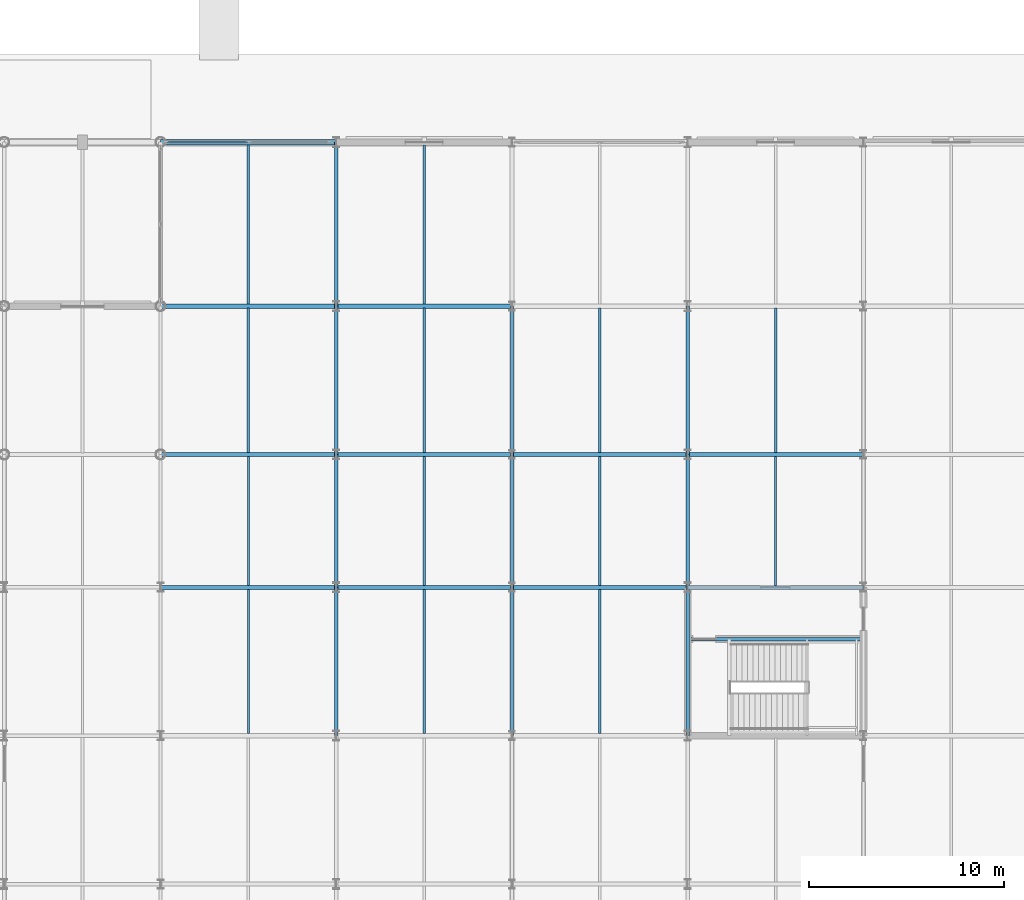
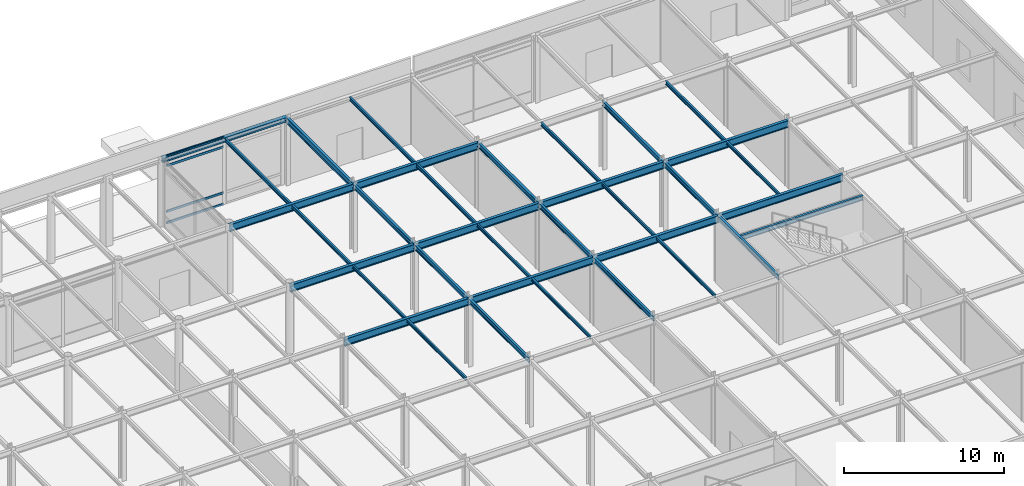
# One storey, part 51 of 89: 35 beams, 4 members, 1 element without a shape of its own.
"""IFC4 building model written with IfcOpenShell, lengths in metres."""

from ifc_helpers import new_model, si_unit, direction, frame, origin, origin_2d, place, context, subcontext, project, spatial, hollow_rectangle, i_section, extrude, material, layer, layer_set, material_profile, profile_set, type_object, element, aggregate, save


model = new_model("IFC4")

# Units and contexts
model_context = context("Model", 3, precision=1e-05, world=origin(), true_north=direction((0.0, 1.0)))
body_context = subcontext(model_context, "Body", "Model", "MODEL_VIEW")
ifc_project = project(units=[si_unit("LENGTHUNIT", "METRE"), si_unit("AREAUNIT", "SQUARE_METRE"), si_unit("VOLUMEUNIT", "CUBIC_METRE"), si_unit("PLANEANGLEUNIT", "RADIAN"), si_unit("MASSUNIT", "GRAM", prefix="KILO")], contexts=[model_context])

# Site, building, storey
site_placement = place(None, origin())
site = spatial("IfcSite", under=ifc_project, at=site_placement, CompositionType="ELEMENT")
building_placement = place(site_placement, origin())
building = spatial("IfcBuilding", under=site, at=building_placement, Name="Shalkamar Park Central Library", CompositionType="ELEMENT")
storey_placement = place(building_placement, origin())
storey = spatial("IfcBuildingStorey", under=building, at=storey_placement, Name="L01", CompositionType="ELEMENT", Elevation=0.0)

# Beams
ifc_material_1 = material(Name="Steel S355", Category="steel")
ifc_material_profile_1 = material_profile(ifc_material_1, i_section(OverallWidth=0.1201171875, OverallDepth=0.239990234375, WebThickness=0.006103515625, FlangeThickness=0.009765625, FilletRadius=0.014892578125, at=origin_2d()), Name="IPE 240")
ifc_profile_set_1 = profile_set([ifc_material_profile_1], Name="Steel S355")
beam_type_1 = type_object("IfcBeamType", Name="Composite Floor Joist IPE240", PredefinedType="JOIST", material=ifc_profile_set_1)
beam_1_placement = place(storey_placement, frame((241.5, 323.702880859375, 5.02001953125), z_axis=(0.0, 1.0, 0.0), x_axis=(-1.0, 0.0, 0.0)))
element("IfcBeam", 1, at=beam_1_placement, inside=storey, type_object=beam_type_1, Name="Composite Joist 16/M-1 (L01)", PredefinedType="JOIST", context=body_context, shape_type="SweptSolid", body=[
    extrude(i_section(OverallWidth=0.1201171875, OverallDepth=0.239990234375, WebThickness=0.006103515625, FlangeThickness=0.009765625, FilletRadius=0.014892578125, at=origin_2d()), origin(), (0.0, 0.0, 1.0), 7.39404296875),
])
beam_2_placement = place(storey_placement, frame((241.5, 331.302978515625, 5.02001953125), z_axis=(0.0, 1.0, 0.0), x_axis=(-1.0, 0.0, 0.0)))
element("IfcBeam", 2, at=beam_2_placement, inside=storey, type_object=beam_type_1, Name="Composite Joist 16/N-1 (L01)", PredefinedType="JOIST", context=body_context, shape_type="SweptSolid", body=[
    extrude(i_section(OverallWidth=0.1201171875, OverallDepth=0.239990234375, WebThickness=0.006103515625, FlangeThickness=0.009765625, FilletRadius=0.014892578125, at=origin_2d()), origin(), (0.0, 0.0, 1.0), 6.593994140625),
])
beam_3_placement = place(storey_placement, frame((250.5, 323.702880859375, 5.02001953125), z_axis=(0.0, 1.0, 0.0), x_axis=(-1.0, 0.0, 0.0)))
element("IfcBeam", 3, at=beam_3_placement, inside=storey, type_object=beam_type_1, Name="Composite Joist 17/M-1 (L01)", PredefinedType="JOIST", context=body_context, shape_type="SweptSolid", body=[
    extrude(i_section(OverallWidth=0.1201171875, OverallDepth=0.239990234375, WebThickness=0.006103515625, FlangeThickness=0.009765625, FilletRadius=0.014892578125, at=origin_2d()), origin(), (0.0, 0.0, 1.0), 7.39404296875),
])
beam_4_placement = place(storey_placement, frame((250.5, 331.302978515625, 5.02001953125), z_axis=(0.0, 1.0, 0.0), x_axis=(-1.0, 0.0, 0.0)))
element("IfcBeam", 4, at=beam_4_placement, inside=storey, type_object=beam_type_1, Name="Composite Joist 17/N-1 (L01)", PredefinedType="JOIST", context=body_context, shape_type="SweptSolid", body=[
    extrude(i_section(OverallWidth=0.1201171875, OverallDepth=0.239990234375, WebThickness=0.006103515625, FlangeThickness=0.009765625, FilletRadius=0.014892578125, at=origin_2d()), origin(), (0.0, 0.0, 1.0), 6.593994140625),
])
beam_5_placement = place(storey_placement, frame((259.5, 323.702880859375, 5.02001953125), z_axis=(0.0, 1.0, 0.0), x_axis=(-1.0, 0.0, 0.0)))
element("IfcBeam", 5, at=beam_5_placement, inside=storey, type_object=beam_type_1, Name="Composite Joist 18/M-1 (L01)", PredefinedType="JOIST", context=body_context, shape_type="SweptSolid", body=[
    extrude(i_section(OverallWidth=0.1201171875, OverallDepth=0.239990234375, WebThickness=0.006103515625, FlangeThickness=0.009765625, FilletRadius=0.014892578125, at=origin_2d()), origin(), (0.0, 0.0, 1.0), 7.39404296875),
])
for number, where, z_axis, x_axis, name in (
    (6, (259.5, 331.302978515625, 5.02001953125), (0.0, 1.0, 0.0), (-1.0, 0.0, 0.0), "Composite Joist 18/N-1 (L01)"),
    (7, (268.5, 331.302978515625, 5.02001953125), (0.0, 1.0, 0.0), (-1.0, 0.0, 0.0), "Composite Joist 19/N-1 (L01)"),
):
    element("IfcBeam", number, at=place(storey_placement, frame(where, z_axis=z_axis, x_axis=x_axis)), inside=storey, type_object=beam_type_1, Name=name, PredefinedType="JOIST", context=body_context, shape_type="SweptSolid", body=[
        extrude(i_section(OverallWidth=0.1201171875, OverallDepth=0.239990234375, WebThickness=0.006103515625, FlangeThickness=0.009765625, FilletRadius=0.014892578125, at=origin_2d()), origin(), (0.0, 0.0, 1.0), 6.593994140625),
    ])
ifc_material_profile_2 = material_profile(ifc_material_1, i_section(OverallWidth=0.135009765625, OverallDepth=0.27001953125, WebThickness=0.006591796875, FlangeThickness=0.01025390625, FilletRadius=0.014892578125, at=origin_2d()), Name="IPE 270")
ifc_profile_set_2 = profile_set([ifc_material_profile_2], Name="Steel S355")
beam_type_2 = type_object("IfcBeamType", Name="Composite Floor Joist IPE270", PredefinedType="JOIST", material=ifc_profile_set_2)
beam_6_placement = place(storey_placement, frame((241.5, 338.10302734375, 5.0048828125), z_axis=(0.0, 1.0, 0.0), x_axis=(-1.0, 0.0, 0.0)))
element("IfcBeam", 8, at=beam_6_placement, inside=storey, type_object=beam_type_2, Name="Composite Joist 16/P-1 (L01)", PredefinedType="JOIST", context=body_context, shape_type="SweptSolid", body=[
    extrude(i_section(OverallWidth=0.135009765625, OverallDepth=0.27001953125, WebThickness=0.006591796875, FlangeThickness=0.01025390625, FilletRadius=0.014892578125, at=origin_2d()), origin(), (0.0, 0.0, 1.0), 7.39404296875),
])
beam_7_placement = place(storey_placement, frame((241.5, 345.702880859375, 5.0048828125), z_axis=(0.0, 1.0, 0.0), x_axis=(-1.0, 0.0, 0.0)))
element("IfcBeam", 9, at=beam_7_placement, inside=storey, type_object=beam_type_2, Name="Composite Joist 16/Q-1 (L01)", PredefinedType="JOIST", context=body_context, shape_type="SweptSolid", body=[
    extrude(i_section(OverallWidth=0.135009765625, OverallDepth=0.27001953125, WebThickness=0.006591796875, FlangeThickness=0.01025390625, FilletRadius=0.014892578125, at=origin_2d()), origin(), (0.0, 0.0, 1.0), 8.149169921875),
])
beam_8_placement = place(storey_placement, frame((250.5, 338.10302734375, 5.0048828125), z_axis=(0.0, 1.0, 0.0), x_axis=(-1.0, 0.0, 0.0)))
element("IfcBeam", 10, at=beam_8_placement, inside=storey, type_object=beam_type_2, Name="Composite Joist 17/P-1 (L01)", PredefinedType="JOIST", context=body_context, shape_type="SweptSolid", body=[
    extrude(i_section(OverallWidth=0.135009765625, OverallDepth=0.27001953125, WebThickness=0.006591796875, FlangeThickness=0.01025390625, FilletRadius=0.014892578125, at=origin_2d()), origin(), (0.0, 0.0, 1.0), 7.39404296875),
])
beam_9_placement = place(storey_placement, frame((250.5, 345.702880859375, 5.0048828125), z_axis=(0.0, 1.0, 0.0), x_axis=(-1.0, 0.0, 0.0)))
element("IfcBeam", 11, at=beam_9_placement, inside=storey, type_object=beam_type_2, Name="Composite Joist 17/Q-1 (L01)", PredefinedType="JOIST", context=body_context, shape_type="SweptSolid", body=[
    extrude(i_section(OverallWidth=0.135009765625, OverallDepth=0.27001953125, WebThickness=0.006591796875, FlangeThickness=0.01025390625, FilletRadius=0.014892578125, at=origin_2d()), origin(), (0.0, 0.0, 1.0), 8.149169921875),
])
for number, where, z_axis, x_axis, name in (
    (12, (259.5, 338.10302734375, 5.0048828125), (0.0, 1.0, 0.0), (-1.0, 0.0, 0.0), "Composite Joist 18/P-1 (L01)"),
    (13, (268.5, 338.10302734375, 5.0048828125), (0.0, 1.0, 0.0), (-1.0, 0.0, 0.0), "Composite Joist 19/P-1 (L01)"),
):
    element("IfcBeam", number, at=place(storey_placement, frame(where, z_axis=z_axis, x_axis=x_axis)), inside=storey, type_object=beam_type_2, Name=name, PredefinedType="JOIST", context=body_context, shape_type="SweptSolid", body=[
        extrude(i_section(OverallWidth=0.135009765625, OverallDepth=0.27001953125, WebThickness=0.006591796875, FlangeThickness=0.01025390625, FilletRadius=0.014892578125, at=origin_2d()), origin(), (0.0, 0.0, 1.0), 7.39404296875),
    ])

# Curtain wall, members
ifc_material_2 = material(Name="Thermally broken aluminium and triple low-e curtain wall", Category="aluminium")
ifc_layer = layer(ifc_material_2, 0.264892578125)
ifc_layer_set = layer_set([ifc_layer], Name="UnitisedCurtainWall_11")
curtain_wall_type = type_object("IfcCurtainWallType", Name="Unitised Curtain Wall 11", PredefinedType="USERDEFINED", material=ifc_layer_set)
curtain_wall_placement = place(storey_placement, origin())
curtain_wall = element("IfcCurtainWall", 14, at=curtain_wall_placement, inside=storey, type_object=curtain_wall_type, Name="Unitised Curtain Wall CW-L01-012", ObjectType="UNITISED CURTAIN WALL", PredefinedType="USERDEFINED")
ifc_material_3 = material(Name="Aluminium 6060-T66", Category="aluminium")
ifc_material_profile_3 = material_profile(ifc_material_3, hollow_rectangle(XDim=0.070068359375, YDim=0.179931640625, WallThickness=0.00439453125, InnerFilletRadius=0.00439453125, OuterFilletRadius=0.0068359375, at=origin_2d()), Name="ALU 70x180x4.5")
ifc_profile_set_3 = profile_set([ifc_material_profile_3], Name="Aluminium 6060-T66")
member_type = type_object("IfcMemberType", Name="Curtain Wall Transom ALU70x180", PredefinedType="USERDEFINED", material=ifc_profile_set_3)
member_1_placement = place(storey_placement, frame((237.343017578125, 354.0, 0.034912109375), z_axis=(1.0, 0.0, 0.0), x_axis=(0.0, 1.0, 0.0)))
member_1 = element("IfcMember", 15, at=member_1_placement, type_object=member_type, Name="CW-11 transom 1.1", ObjectType="TRANSOM", PredefinedType="USERDEFINED", context=body_context, shape_type="SweptSolid", body=[
    extrude(hollow_rectangle(XDim=0.070068359375, YDim=0.179931640625, WallThickness=0.00439453125, InnerFilletRadius=0.00439453125, OuterFilletRadius=0.0068359375, at=origin_2d()), origin(), (0.0, 0.0, 1.0), 4.116455078125),
])
member_2_placement = place(storey_placement, frame((237.343017578125, 354.0, 0.89990234375), z_axis=(1.0, 0.0, 0.0), x_axis=(0.0, 1.0, 0.0)))
member_2 = element("IfcMember", 16, at=member_2_placement, type_object=member_type, Name="CW-11 transom 1.2", ObjectType="TRANSOM", PredefinedType="USERDEFINED", context=body_context, shape_type="SweptSolid", body=[
    extrude(hollow_rectangle(XDim=0.070068359375, YDim=0.179931640625, WallThickness=0.00439453125, InnerFilletRadius=0.00439453125, OuterFilletRadius=0.0068359375, at=origin_2d()), origin(), (0.0, 0.0, 1.0), 4.116455078125),
])
member_3_placement = place(storey_placement, frame((237.343017578125, 354.0, 4.39990234375), z_axis=(1.0, 0.0, 0.0), x_axis=(0.0, 1.0, 0.0)))
member_3 = element("IfcMember", 17, at=member_3_placement, type_object=member_type, Name="CW-11 transom 1.3", ObjectType="TRANSOM", PredefinedType="USERDEFINED", context=body_context, shape_type="SweptSolid", body=[
    extrude(hollow_rectangle(XDim=0.070068359375, YDim=0.179931640625, WallThickness=0.00439453125, InnerFilletRadius=0.00439453125, OuterFilletRadius=0.0068359375, at=origin_2d()), origin(), (0.0, 0.0, 1.0), 4.116455078125),
])
member_4_placement = place(storey_placement, frame((237.343017578125, 354.0, 5.114990234375), z_axis=(1.0, 0.0, 0.0), x_axis=(0.0, 1.0, 0.0)))
member_4 = element("IfcMember", 18, at=member_4_placement, type_object=member_type, Name="CW-11 transom 1.4", ObjectType="TRANSOM", PredefinedType="USERDEFINED", context=body_context, shape_type="SweptSolid", body=[
    extrude(hollow_rectangle(XDim=0.070068359375, YDim=0.179931640625, WallThickness=0.00439453125, InnerFilletRadius=0.00439453125, OuterFilletRadius=0.0068359375, at=origin_2d()), origin(), (0.0, 0.0, 1.0), 4.116455078125),
])
aggregate(curtain_wall, [member_1, member_2, member_3, member_4])

# Beams
ifc_material_profile_4 = material_profile(ifc_material_1, i_section(OverallWidth=0.300048828125, OverallDepth=0.35009765625, WebThickness=0.010009765625, FlangeThickness=0.017578125, FilletRadius=0.027099609375, at=origin_2d()), Name="HEA 360")
ifc_profile_set_4 = profile_set([ifc_material_profile_4], Name="Steel S355")
beam_type_3 = type_object("IfcBeamType", Name="Perimeter Spandrel Beam HEA360", PredefinedType="SPANDREL", material=ifc_profile_set_4)
beam_10_placement = place(storey_placement, frame((237.0, 354.0, 4.97509765625), z_axis=(1.0, 0.0, 0.0), x_axis=(0.0, 1.0, 0.0)))
element("IfcBeam", 19, at=beam_10_placement, inside=storey, type_object=beam_type_3, Name="Beam R:16-17 (L01)", PredefinedType="SPANDREL", context=body_context, shape_type="SweptSolid", body=[
    extrude(i_section(OverallWidth=0.300048828125, OverallDepth=0.35009765625, WebThickness=0.010009765625, FlangeThickness=0.017578125, FilletRadius=0.027099609375, at=origin_2d()), origin(), (0.0, 0.0, 1.0), 9.0),
])
ifc_material_profile_5 = material_profile(ifc_material_1, i_section(OverallWidth=0.169921875, OverallDepth=0.360107421875, WebThickness=0.008056640625, FlangeThickness=0.0126953125, FilletRadius=0.01806640625, at=origin_2d()), Name="IPE 360")
ifc_profile_set_5 = profile_set([ifc_material_profile_5], Name="Steel S355")
beam_type_4 = type_object("IfcBeamType", Name="Primary Girder IPE360", PredefinedType="BEAM", material=ifc_profile_set_5)
beam_11_placement = place(storey_placement, frame((246.0, 323.60009765625, 4.9599609375), z_axis=(0.0, 1.0, 0.0), x_axis=(-1.0, 0.0, 0.0)))
element("IfcBeam", 20, at=beam_11_placement, inside=storey, type_object=beam_type_4, Name="Beam 17:M-N (L01)", PredefinedType="BEAM", context=body_context, shape_type="SweptSolid", body=[
    extrude(i_section(OverallWidth=0.169921875, OverallDepth=0.360107421875, WebThickness=0.008056640625, FlangeThickness=0.0126953125, FilletRadius=0.01806640625, at=origin_2d()), origin(), (0.0, 0.0, 1.0), 7.599853515625),
])
beam_12_placement = place(storey_placement, frame((246.0, 331.199951171875, 4.9599609375), z_axis=(0.0, 1.0, 0.0), x_axis=(-1.0, 0.0, 0.0)))
element("IfcBeam", 21, at=beam_12_placement, inside=storey, type_object=beam_type_4, Name="Beam 17:N-P (L01)", PredefinedType="BEAM", context=body_context, shape_type="SweptSolid", body=[
    extrude(i_section(OverallWidth=0.169921875, OverallDepth=0.360107421875, WebThickness=0.008056640625, FlangeThickness=0.0126953125, FilletRadius=0.01806640625, at=origin_2d()), origin(), (0.0, 0.0, 1.0), 6.800048828125),
])
beam_13_placement = place(storey_placement, frame((246.0, 338.0, 4.9599609375), z_axis=(0.0, 1.0, 0.0), x_axis=(-1.0, 0.0, 0.0)))
element("IfcBeam", 22, at=beam_13_placement, inside=storey, type_object=beam_type_4, Name="Beam 17:P-Q (L01)", PredefinedType="BEAM", context=body_context, shape_type="SweptSolid", body=[
    extrude(i_section(OverallWidth=0.169921875, OverallDepth=0.360107421875, WebThickness=0.008056640625, FlangeThickness=0.0126953125, FilletRadius=0.01806640625, at=origin_2d()), origin(), (0.0, 0.0, 1.0), 7.60009765625),
])
beam_14_placement = place(storey_placement, frame((255.0, 323.60009765625, 4.9599609375), z_axis=(0.0, 1.0, 0.0), x_axis=(-1.0, 0.0, 0.0)))
element("IfcBeam", 23, at=beam_14_placement, inside=storey, type_object=beam_type_4, Name="Beam 18:M-N (L01)", PredefinedType="BEAM", context=body_context, shape_type="SweptSolid", body=[
    extrude(i_section(OverallWidth=0.169921875, OverallDepth=0.360107421875, WebThickness=0.008056640625, FlangeThickness=0.0126953125, FilletRadius=0.01806640625, at=origin_2d()), origin(), (0.0, 0.0, 1.0), 7.599853515625),
])
beam_15_placement = place(storey_placement, frame((255.0, 331.199951171875, 4.9599609375), z_axis=(0.0, 1.0, 0.0), x_axis=(-1.0, 0.0, 0.0)))
element("IfcBeam", 24, at=beam_15_placement, inside=storey, type_object=beam_type_4, Name="Beam 18:N-P (L01)", PredefinedType="BEAM", context=body_context, shape_type="SweptSolid", body=[
    extrude(i_section(OverallWidth=0.169921875, OverallDepth=0.360107421875, WebThickness=0.008056640625, FlangeThickness=0.0126953125, FilletRadius=0.01806640625, at=origin_2d()), origin(), (0.0, 0.0, 1.0), 6.800048828125),
])
beam_16_placement = place(storey_placement, frame((255.0, 338.0, 4.9599609375), z_axis=(0.0, 1.0, 0.0), x_axis=(-1.0, 0.0, 0.0)))
element("IfcBeam", 25, at=beam_16_placement, inside=storey, type_object=beam_type_4, Name="Beam 18:P-Q (L01)", PredefinedType="BEAM", context=body_context, shape_type="SweptSolid", body=[
    extrude(i_section(OverallWidth=0.169921875, OverallDepth=0.360107421875, WebThickness=0.008056640625, FlangeThickness=0.0126953125, FilletRadius=0.01806640625, at=origin_2d()), origin(), (0.0, 0.0, 1.0), 7.60009765625),
])
beam_17_placement = place(storey_placement, frame((264.0, 323.60009765625, 4.9599609375), z_axis=(0.0, 1.0, 0.0), x_axis=(-1.0, 0.0, 0.0)))
element("IfcBeam", 26, at=beam_17_placement, inside=storey, type_object=beam_type_4, Name="Beam 19:M-N (L01)", PredefinedType="BEAM", context=body_context, shape_type="SweptSolid", body=[
    extrude(i_section(OverallWidth=0.169921875, OverallDepth=0.360107421875, WebThickness=0.008056640625, FlangeThickness=0.0126953125, FilletRadius=0.01806640625, at=origin_2d()), origin(), (0.0, 0.0, 1.0), 7.599853515625),
])
beam_18_placement = place(storey_placement, frame((264.0, 331.199951171875, 4.9599609375), z_axis=(0.0, 1.0, 0.0), x_axis=(-1.0, 0.0, 0.0)))
element("IfcBeam", 27, at=beam_18_placement, inside=storey, type_object=beam_type_4, Name="Beam 19:N-P (L01)", PredefinedType="BEAM", context=body_context, shape_type="SweptSolid", body=[
    extrude(i_section(OverallWidth=0.169921875, OverallDepth=0.360107421875, WebThickness=0.008056640625, FlangeThickness=0.0126953125, FilletRadius=0.01806640625, at=origin_2d()), origin(), (0.0, 0.0, 1.0), 6.800048828125),
])
beam_19_placement = place(storey_placement, frame((264.0, 338.0, 4.9599609375), z_axis=(0.0, 1.0, 0.0), x_axis=(-1.0, 0.0, 0.0)))
element("IfcBeam", 28, at=beam_19_placement, inside=storey, type_object=beam_type_4, Name="Beam 19:P-Q (L01)", PredefinedType="BEAM", context=body_context, shape_type="SweptSolid", body=[
    extrude(i_section(OverallWidth=0.169921875, OverallDepth=0.360107421875, WebThickness=0.008056640625, FlangeThickness=0.0126953125, FilletRadius=0.01806640625, at=origin_2d()), origin(), (0.0, 0.0, 1.0), 7.60009765625),
])
beam_20_placement = place(storey_placement, frame((264.087890625, 328.550048828125, 4.9599609375), z_axis=(1.0, 0.0, 0.0), x_axis=(0.0, 1.0, 0.0)))
element("IfcBeam", 29, at=beam_20_placement, inside=storey, type_object=beam_type_4, Name="CORE-P6 Stairwell Divider Beam (L01)", PredefinedType="BEAM", context=body_context, shape_type="SweptSolid", body=[
    extrude(i_section(OverallWidth=0.169921875, OverallDepth=0.360107421875, WebThickness=0.008056640625, FlangeThickness=0.0126953125, FilletRadius=0.01806640625, at=origin_2d()), origin(), (0.0, 0.0, 1.0), 8.82421875),
])
ifc_material_profile_6 = material_profile(ifc_material_1, i_section(OverallWidth=0.18994140625, OverallDepth=0.449951171875, WebThickness=0.009521484375, FlangeThickness=0.0146484375, FilletRadius=0.02099609375, at=origin_2d()), Name="IPE 450")
ifc_profile_set_6 = profile_set([ifc_material_profile_6], Name="Steel S355")
beam_type_5 = type_object("IfcBeamType", Name="Primary Girder IPE450", PredefinedType="BEAM", material=ifc_profile_set_6)
beam_21_placement = place(storey_placement, frame((246.0, 345.60009765625, 4.9150390625), z_axis=(0.0, 1.0, 0.0), x_axis=(-1.0, 0.0, 0.0)))
element("IfcBeam", 30, at=beam_21_placement, inside=storey, type_object=beam_type_5, Name="Beam 17:Q-R (L01)", PredefinedType="BEAM", context=body_context, shape_type="SweptSolid", body=[
    extrude(i_section(OverallWidth=0.18994140625, OverallDepth=0.449951171875, WebThickness=0.009521484375, FlangeThickness=0.0146484375, FilletRadius=0.02099609375, at=origin_2d()), origin(), (0.0, 0.0, 1.0), 8.39990234375),
])
ifc_material_profile_7 = material_profile(ifc_material_1, i_section(OverallWidth=0.2099609375, OverallDepth=0.550048828125, WebThickness=0.010986328125, FlangeThickness=0.01708984375, FilletRadius=0.02392578125, at=origin_2d()), Name="IPE 550")
ifc_profile_set_7 = profile_set([ifc_material_profile_7], Name="Steel S355")
beam_type_6 = type_object("IfcBeamType", Name="Primary Girder IPE550", PredefinedType="BEAM", material=ifc_profile_set_7)
for number, where, z_axis, x_axis, name in (
    (31, (237.0, 331.199951171875, 4.864990234375), (1.0, 0.0, 0.0), (0.0, 1.0, 0.0), "Beam N:16-17 (L01)"),
    (32, (246.0, 331.199951171875, 4.864990234375), (1.0, 0.0, 0.0), (0.0, 1.0, 0.0), "Beam N:17-18 (L01)"),
    (33, (255.0, 331.199951171875, 4.864990234375), (1.0, 0.0, 0.0), (0.0, 1.0, 0.0), "Beam N:18-19 (L01)"),
    (34, (264.0, 331.199951171875, 4.864990234375), (1.0, 0.0, 0.0), (0.0, 1.0, 0.0), "Beam N:19-20 (L01)"),
    (35, (237.0, 338.0, 4.864990234375), (1.0, 0.0, 0.0), (0.0, 1.0, 0.0), "Beam P:16-17 (L01)"),
    (36, (246.0, 338.0, 4.864990234375), (1.0, 0.0, 0.0), (0.0, 1.0, 0.0), "Beam P:17-18 (L01)"),
    (37, (255.0, 338.0, 4.864990234375), (1.0, 0.0, 0.0), (0.0, 1.0, 0.0), "Beam P:18-19 (L01)"),
    (38, (264.0, 338.0, 4.864990234375), (1.0, 0.0, 0.0), (0.0, 1.0, 0.0), "Beam P:19-20 (L01)"),
    (39, (237.0, 345.60009765625, 4.864990234375), (1.0, 0.0, 0.0), (0.0, 1.0, 0.0), "Beam Q:16-17 (L01)"),
    (40, (246.0, 345.60009765625, 4.864990234375), (1.0, 0.0, 0.0), (0.0, 1.0, 0.0), "Beam Q:17-18 (L01)"),
):
    element("IfcBeam", number, at=place(storey_placement, frame(where, z_axis=z_axis, x_axis=x_axis)), inside=storey, type_object=beam_type_6, Name=name, PredefinedType="BEAM", context=body_context, shape_type="SweptSolid", body=[
        extrude(i_section(OverallWidth=0.2099609375, OverallDepth=0.550048828125, WebThickness=0.010986328125, FlangeThickness=0.01708984375, FilletRadius=0.02392578125, at=origin_2d()), origin(), (0.0, 0.0, 1.0), 9.0),
    ])

save(model, "model.ifc")
